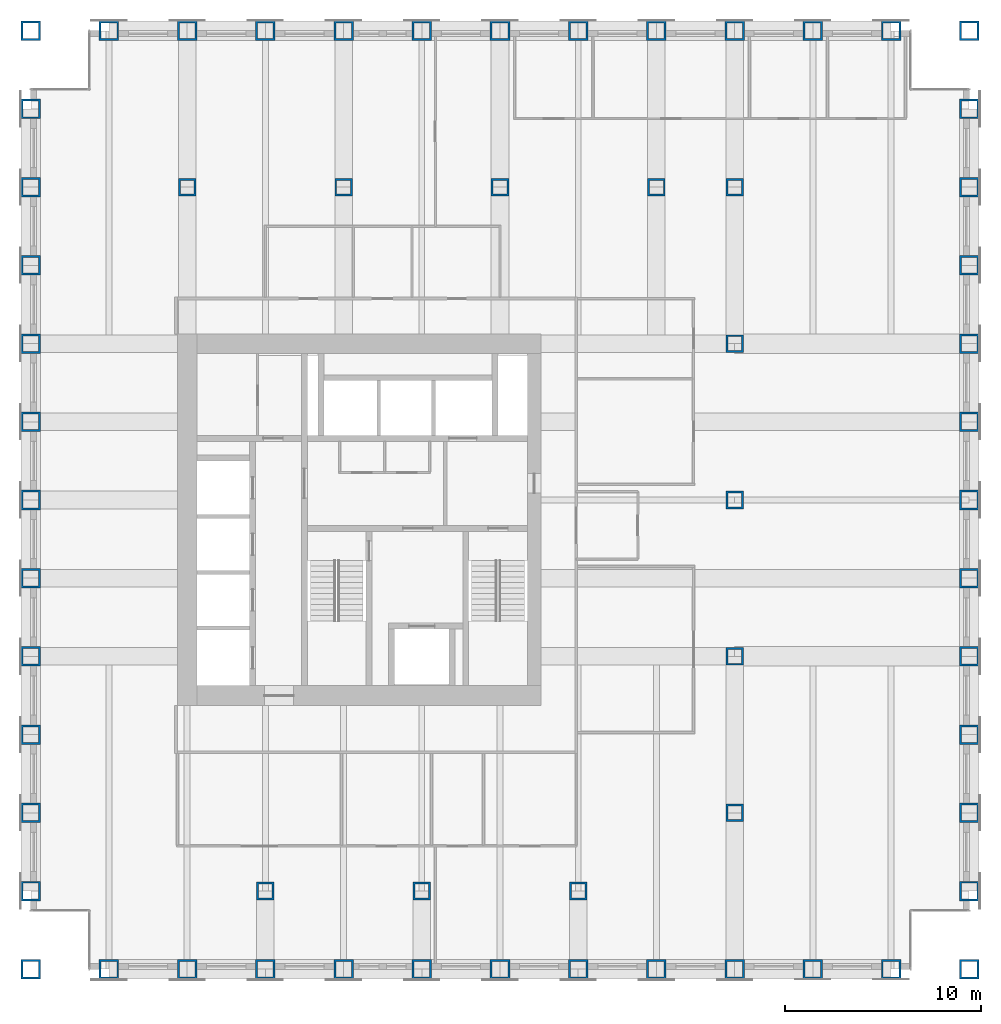
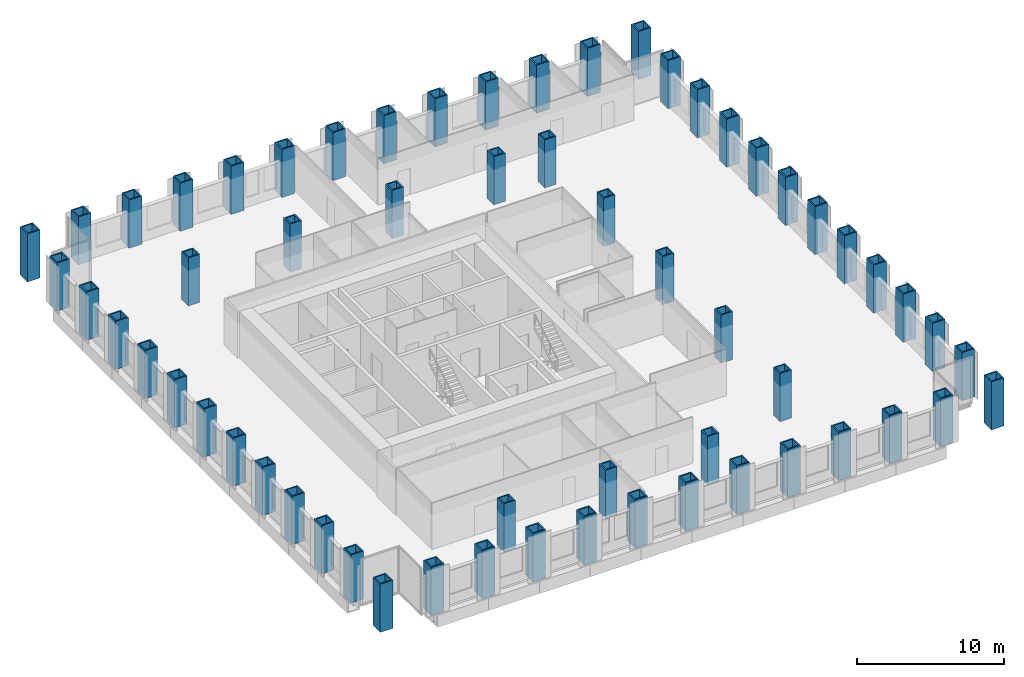
# One storey, part 1 of 15: 60 columns.
"""IFC4 building model written with IfcOpenShell, lengths in metres."""

from ifc_helpers import new_model, si_unit, direction, frame, origin, origin_2d, place, context, subcontext, project, spatial, hollow_rectangle, extrude, material, material_profile, profile_set, type_object, element, save


model = new_model("IFC4")

# Units and contexts
model_context = context("Model", 3, precision=1e-05, world=origin(), true_north=direction((0.0, 1.0)))
body_context = subcontext(model_context, "Body", "Model", "MODEL_VIEW")
ifc_project = project(units=[si_unit("LENGTHUNIT", "METRE"), si_unit("AREAUNIT", "SQUARE_METRE"), si_unit("VOLUMEUNIT", "CUBIC_METRE"), si_unit("PLANEANGLEUNIT", "RADIAN"), si_unit("MASSUNIT", "GRAM", prefix="KILO")], contexts=[model_context])

# Site, building, storey
site_placement = place(None, origin())
site = spatial("IfcSite", under=ifc_project, at=site_placement, CompositionType="ELEMENT")
building_placement = place(site_placement, origin())
building = spatial("IfcBuilding", under=site, at=building_placement, Name="Rimbunsela Tower", CompositionType="ELEMENT")
storey_placement = place(building_placement, frame((0.0, 0.0, 113.39990234375)))
storey = spatial("IfcBuildingStorey", under=building, at=storey_placement, Name="L27", CompositionType="ELEMENT", Elevation=113.39990234375)

# Columns
ifc_material_1 = material(Name="Steel BJ 55 (fy 410 MPa)", Category="steel")
ifc_material_profile_1 = material_profile(ifc_material_1, hollow_rectangle(XDim=1.0, YDim=1.0, WallThickness=0.10009765625, at=origin_2d()), Name="BOX 1000x1000x100")
ifc_profile_set_1 = profile_set([ifc_material_profile_1], Name="Steel BJ 55 (fy 410 MPa)")
column_type_1 = type_object("IfcColumnType", Name="Column BOX 1000x1000x100", PredefinedType="COLUMN", material=ifc_profile_set_1)
for number, where, z_axis, x_axis, name in (
    (1, (10.0, 4.0, 0.0), (0.0, 0.0, 1.0), (1.0, 0.0, 0.0), "Column C1 5/C L27"),
    (2, (10.0, 8.0, 0.0), (0.0, 0.0, 1.0), (1.0, 0.0, 0.0), "Column C1 5/D L27"),
    (3, (10.0, 12.0, 0.0), (0.0, 0.0, 1.0), (1.0, 0.0, 0.0), "Column C1 5/E L27"),
    (4, (10.0, 16.0, 0.0), (0.0, 0.0, 1.0), (1.0, 0.0, 0.0), "Column C1 5/F L27"),
    (5, (10.0, 20.0, 0.0), (0.0, 0.0, 1.0), (1.0, 0.0, 0.0), "Column C1 5/G L27"),
    (6, (10.0, 24.0, 0.0), (0.0, 0.0, 1.0), (1.0, 0.0, 0.0), "Column C1 5/H L27"),
    (7, (10.0, 28.0, 0.0), (0.0, 0.0, 1.0), (1.0, 0.0, 0.0), "Column C1 5/J L27"),
    (8, (10.0, 32.0, 0.0), (0.0, 0.0, 1.0), (1.0, 0.0, 0.0), "Column C1 5/K L27"),
    (9, (10.0, 36.0, 0.0), (0.0, 0.0, 1.0), (1.0, 0.0, 0.0), "Column C1 5/L L27"),
    (10, (10.0, 40.0, 0.0), (0.0, 0.0, 1.0), (1.0, 0.0, 0.0), "Column C1 5/M L27"),
    (11, (10.0, 44.0, 0.0), (0.0, 0.0, 1.0), (1.0, 0.0, 0.0), "Column C1 5/N L27"),
    (12, (10.0, 48.0, 0.0), (0.0, 0.0, 1.0), (1.0, 0.0, 0.0), "Column C1 5/P L27"),
    (13, (10.0, 52.0, 0.0), (0.0, 0.0, 1.0), (1.0, 0.0, 0.0), "Column C1 5/Q L27"),
    (14, (14.0, 4.0, 0.0), (0.0, 0.0, 1.0), (1.0, 0.0, 0.0), "Column C1 6/C L27"),
    (15, (14.0, 52.0, 0.0), (0.0, 0.0, 1.0), (1.0, 0.0, 0.0), "Column C1 6/Q L27"),
    (16, (18.0, 4.0, 0.0), (0.0, 0.0, 1.0), (1.0, 0.0, 0.0), "Column C1 7/C L27"),
    (17, (18.0, 52.0, 0.0), (0.0, 0.0, 1.0), (1.0, 0.0, 0.0), "Column C1 7/Q L27"),
    (18, (22.0, 4.0, 0.0), (0.0, 0.0, 1.0), (1.0, 0.0, 0.0), "Column C1 8/C L27"),
    (19, (22.0, 52.0, 0.0), (0.0, 0.0, 1.0), (1.0, 0.0, 0.0), "Column C1 8/Q L27"),
    (20, (26.0, 4.0, 0.0), (0.0, 0.0, 1.0), (1.0, 0.0, 0.0), "Column C1 9/C L27"),
    (21, (26.0, 52.0, 0.0), (0.0, 0.0, 1.0), (1.0, 0.0, 0.0), "Column C1 9/Q L27"),
    (22, (30.0, 4.0, 0.0), (0.0, 0.0, 1.0), (1.0, 0.0, 0.0), "Column C1 10/C L27"),
    (23, (30.0, 52.0, 0.0), (0.0, 0.0, 1.0), (1.0, 0.0, 0.0), "Column C1 10/Q L27"),
    (24, (34.0, 4.0, 0.0), (0.0, 0.0, 1.0), (1.0, 0.0, 0.0), "Column C1 11/C L27"),
    (25, (34.0, 52.0, 0.0), (0.0, 0.0, 1.0), (1.0, 0.0, 0.0), "Column C1 11/Q L27"),
    (26, (38.0, 4.0, 0.0), (0.0, 0.0, 1.0), (1.0, 0.0, 0.0), "Column C1 12/C L27"),
    (27, (38.0, 52.0, 0.0), (0.0, 0.0, 1.0), (1.0, 0.0, 0.0), "Column C1 12/Q L27"),
    (28, (42.0, 4.0, 0.0), (0.0, 0.0, 1.0), (1.0, 0.0, 0.0), "Column C1 13/C L27"),
    (29, (42.0, 52.0, 0.0), (0.0, 0.0, 1.0), (1.0, 0.0, 0.0), "Column C1 13/Q L27"),
    (30, (46.0, 4.0, 0.0), (0.0, 0.0, 1.0), (1.0, 0.0, 0.0), "Column C1 14/C L27"),
    (31, (46.0, 52.0, 0.0), (0.0, 0.0, 1.0), (1.0, 0.0, 0.0), "Column C1 14/Q L27"),
    (32, (50.0, 4.0, 0.0), (0.0, 0.0, 1.0), (1.0, 0.0, 0.0), "Column C1 15/C L27"),
    (33, (50.0, 52.0, 0.0), (0.0, 0.0, 1.0), (1.0, 0.0, 0.0), "Column C1 15/Q L27"),
    (34, (54.0, 4.0, 0.0), (0.0, 0.0, 1.0), (1.0, 0.0, 0.0), "Column C1 16/C L27"),
    (35, (54.0, 52.0, 0.0), (0.0, 0.0, 1.0), (1.0, 0.0, 0.0), "Column C1 16/Q L27"),
    (36, (58.0, 4.0, 0.0), (0.0, 0.0, 1.0), (1.0, 0.0, 0.0), "Column C1 17/C L27"),
    (37, (58.0, 8.0, 0.0), (0.0, 0.0, 1.0), (1.0, 0.0, 0.0), "Column C1 17/D L27"),
    (38, (58.0, 12.0, 0.0), (0.0, 0.0, 1.0), (1.0, 0.0, 0.0), "Column C1 17/E L27"),
    (39, (58.0, 16.0, 0.0), (0.0, 0.0, 1.0), (1.0, 0.0, 0.0), "Column C1 17/F L27"),
    (40, (58.0, 20.0, 0.0), (0.0, 0.0, 1.0), (1.0, 0.0, 0.0), "Column C1 17/G L27"),
    (41, (58.0, 24.0, 0.0), (0.0, 0.0, 1.0), (1.0, 0.0, 0.0), "Column C1 17/H L27"),
    (42, (58.0, 28.0, 0.0), (0.0, 0.0, 1.0), (1.0, 0.0, 0.0), "Column C1 17/J L27"),
    (43, (58.0, 32.0, 0.0), (0.0, 0.0, 1.0), (1.0, 0.0, 0.0), "Column C1 17/K L27"),
    (44, (58.0, 36.0, 0.0), (0.0, 0.0, 1.0), (1.0, 0.0, 0.0), "Column C1 17/L L27"),
    (45, (58.0, 40.0, 0.0), (0.0, 0.0, 1.0), (1.0, 0.0, 0.0), "Column C1 17/M L27"),
    (46, (58.0, 44.0, 0.0), (0.0, 0.0, 1.0), (1.0, 0.0, 0.0), "Column C1 17/N L27"),
    (47, (58.0, 48.0, 0.0), (0.0, 0.0, 1.0), (1.0, 0.0, 0.0), "Column C1 17/P L27"),
    (48, (58.0, 52.0, 0.0), (0.0, 0.0, 1.0), (1.0, 0.0, 0.0), "Column C1 17/Q L27"),
):
    element("IfcColumn", number, at=place(storey_placement, frame(where, z_axis=z_axis, x_axis=x_axis)), inside=storey, type_object=column_type_1, Name=name, PredefinedType="COLUMN", context=body_context, shape_type="SweptSolid", body=[
        extrude(hollow_rectangle(XDim=1.0, YDim=1.0, WallThickness=0.10009765625, at=origin_2d()), origin(), (0.0, 0.0, 1.0), 4.0),
    ])
ifc_material_2 = material(Name="Steel BJ 55 (fy 410 MPa)", Category="steel")
ifc_material_profile_2 = material_profile(ifc_material_2, hollow_rectangle(XDim=0.89990234375, YDim=0.89990234375, WallThickness=0.10009765625, at=origin_2d()), Name="BOX 900x900x100")
ifc_profile_set_2 = profile_set([ifc_material_profile_2], Name="Steel BJ 55 (fy 410 MPa)")
column_type_2 = type_object("IfcColumnType", Name="Column BOX 900x900x100", PredefinedType="COLUMN", material=ifc_profile_set_2)
for number, where, z_axis, x_axis, name in (
    (49, (18.0, 44.0, 0.0), (0.0, 0.0, 1.0), (1.0, 0.0, 0.0), "Column C5 7/N L27"),
    (50, (22.0, 8.0, 0.0), (0.0, 0.0, 1.0), (1.0, 0.0, 0.0), "Column C5 8/D L27"),
    (51, (26.0, 44.0, 0.0), (0.0, 0.0, 1.0), (1.0, 0.0, 0.0), "Column C5 9/N L27"),
    (52, (30.0, 8.0, 0.0), (0.0, 0.0, 1.0), (1.0, 0.0, 0.0), "Column C5 10/D L27"),
    (53, (34.0, 44.0, 0.0), (0.0, 0.0, 1.0), (1.0, 0.0, 0.0), "Column C5 11/N L27"),
    (54, (38.0, 8.0, 0.0), (0.0, 0.0, 1.0), (1.0, 0.0, 0.0), "Column C5 12/D L27"),
    (55, (42.0, 44.0, 0.0), (0.0, 0.0, 1.0), (1.0, 0.0, 0.0), "Column C5 13/N L27"),
    (56, (46.0, 12.0, 0.0), (0.0, 0.0, 1.0), (1.0, 0.0, 0.0), "Column C5 14/E L27"),
    (57, (46.0, 20.0, 0.0), (0.0, 0.0, 1.0), (1.0, 0.0, 0.0), "Column C5 14/G L27"),
    (58, (46.0, 28.0, 0.0), (0.0, 0.0, 1.0), (1.0, 0.0, 0.0), "Column C5 14/J L27"),
    (59, (46.0, 36.0, 0.0), (0.0, 0.0, 1.0), (1.0, 0.0, 0.0), "Column C5 14/L L27"),
    (60, (46.0, 44.0, 0.0), (0.0, 0.0, 1.0), (1.0, 0.0, 0.0), "Column C5 14/N L27"),
):
    element("IfcColumn", number, at=place(storey_placement, frame(where, z_axis=z_axis, x_axis=x_axis)), inside=storey, type_object=column_type_2, Name=name, PredefinedType="COLUMN", context=body_context, shape_type="SweptSolid", body=[
        extrude(hollow_rectangle(XDim=0.89990234375, YDim=0.89990234375, WallThickness=0.10009765625, at=origin_2d()), origin(), (0.0, 0.0, 1.0), 4.0),
    ])

save(model, "model.ifc")
